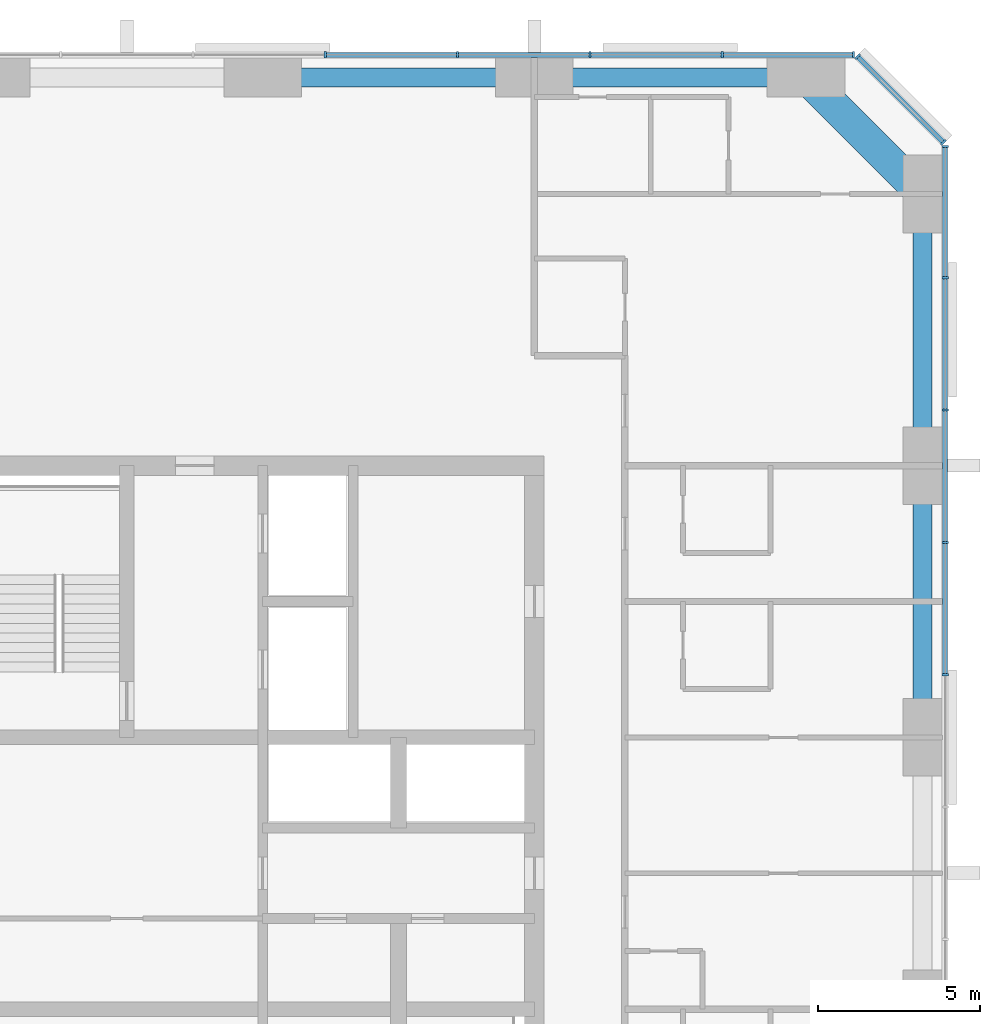
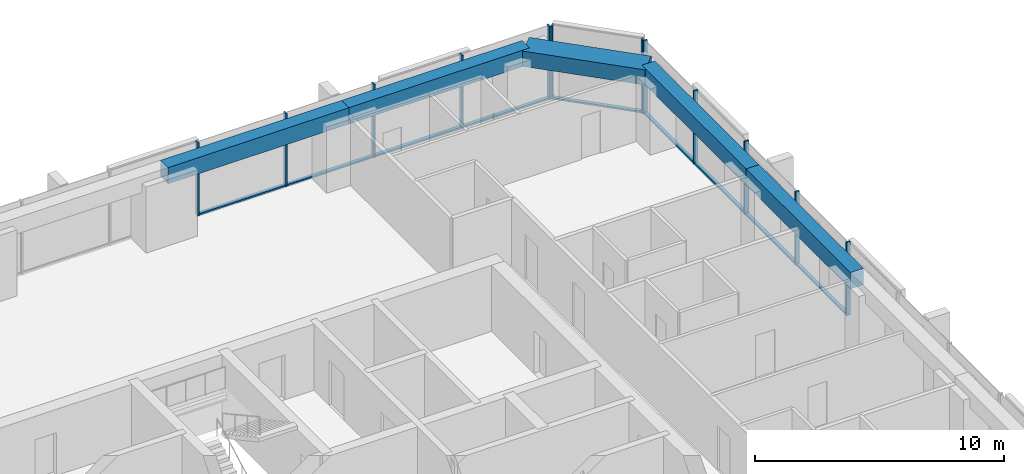
# One storey, part 6 of 13: 21 members, 5 beams, 3 elements without a shape of their own.
"""IFC4 building model written with IfcOpenShell, lengths in metres."""

from ifc_helpers import new_model, si_unit, direction, frame, origin, origin_2d, place, context, subcontext, project, spatial, rectangle, extrude, material, material_profile, profile_set, type_object, element, aggregate, save


model = new_model("IFC4")

# Units and contexts
model_context = context("Model", 3, precision=1e-05, world=origin(), true_north=direction((0.0, 1.0)))
body_context = subcontext(model_context, "Body", "Model", "MODEL_VIEW")
ifc_project = project(units=[si_unit("LENGTHUNIT", "METRE"), si_unit("AREAUNIT", "SQUARE_METRE"), si_unit("VOLUMEUNIT", "CUBIC_METRE"), si_unit("PLANEANGLEUNIT", "RADIAN"), si_unit("MASSUNIT", "GRAM", prefix="KILO")], contexts=[model_context])

# Site, building, storey
site_placement = place(None, origin())
site = spatial("IfcSite", under=ifc_project, at=site_placement, CompositionType="ELEMENT")
building_placement = place(site_placement, origin())
building = spatial("IfcBuilding", under=site, at=building_placement, Name="Dunama Terrace Hotel", CompositionType="ELEMENT")
storey_placement = place(building_placement, frame((0.0, 0.0, 209.39990234375)))
storey = spatial("IfcBuildingStorey", under=building, at=storey_placement, Name="L54", CompositionType="ELEMENT", Elevation=209.39990234375)

# Curtain wall, members
ifc_material_1 = material(Name="Aluminium curtain wall system", Category="aluminium")
curtain_wall_type = type_object("IfcCurtainWallType", Name="Unitised fritted glass wall CW-C", PredefinedType="NOTDEFINED", material=ifc_material_1)
curtain_wall_1_placement = place(storey_placement, origin())
curtain_wall_1 = element("IfcCurtainWall", 1, at=curtain_wall_1_placement, inside=storey, type_object=curtain_wall_type, Name="Unitised fritted glass wall CW-C L54", PredefinedType="NOTDEFINED")
ifc_material_2 = material(Name="Aluminium mullion", Category="aluminium")
ifc_material_profile_1 = material_profile(ifc_material_2, rectangle(XDim=0.070068359375, YDim=0.199951171875, at=origin_2d()), Name="CWC MULLION 70X200")
ifc_profile_set_1 = profile_set([ifc_material_profile_1], Name="Aluminium mullion")
member_type_1 = type_object("IfcMemberType", Name="CWC mullion 70x200", PredefinedType="MULLION", material=ifc_profile_set_1)
member_1_placement = place(storey_placement, frame((54.699951171875, 35.535888671875, 0.0), z_axis=(0.0, 0.0, 1.0), x_axis=(0.0, 1.0, 0.0)))
member_1 = element("IfcMember", 2, at=member_1_placement, type_object=member_type_1, Name="CWC mullion", PredefinedType="MULLION", context=body_context, shape_type="SweptSolid", body=[
    extrude(rectangle(XDim=0.070068359375, YDim=0.199951171875, at=origin_2d()), origin(), (0.0, 0.0, 1.0), 3.60009765625),
])
member_2_placement = place(storey_placement, frame((54.699951171875, 39.626953125, 0.0), z_axis=(0.0, 0.0, 1.0), x_axis=(0.0, 1.0, 0.0)))
member_2 = element("IfcMember", 3, at=member_2_placement, type_object=member_type_1, Name="CWC mullion", PredefinedType="MULLION", context=body_context, shape_type="SweptSolid", body=[
    extrude(rectangle(XDim=0.070068359375, YDim=0.199951171875, at=origin_2d()), origin(), (0.0, 0.0, 1.0), 3.60009765625),
])
member_3_placement = place(storey_placement, frame((54.699951171875, 43.718017578125, 0.0), z_axis=(0.0, 0.0, 1.0), x_axis=(0.0, 1.0, 0.0)))
member_3 = element("IfcMember", 4, at=member_3_placement, type_object=member_type_1, Name="CWC mullion", PredefinedType="MULLION", context=body_context, shape_type="SweptSolid", body=[
    extrude(rectangle(XDim=0.070068359375, YDim=0.199951171875, at=origin_2d()), origin(), (0.0, 0.0, 1.0), 3.60009765625),
])
member_4_placement = place(storey_placement, frame((54.699951171875, 47.80908203125, 0.0), z_axis=(0.0, 0.0, 1.0), x_axis=(0.0, 1.0, 0.0)))
member_4 = element("IfcMember", 5, at=member_4_placement, type_object=member_type_1, Name="CWC mullion", PredefinedType="MULLION", context=body_context, shape_type="SweptSolid", body=[
    extrude(rectangle(XDim=0.070068359375, YDim=0.199951171875, at=origin_2d()), origin(), (0.0, 0.0, 1.0), 3.60009765625),
])
member_5_placement = place(storey_placement, frame((54.699951171875, 51.864990234375, 0.0), z_axis=(0.0, 0.0, 1.0), x_axis=(0.0, 1.0, 0.0)))
member_5 = element("IfcMember", 6, at=member_5_placement, type_object=member_type_1, Name="CWC mullion", PredefinedType="MULLION", context=body_context, shape_type="SweptSolid", body=[
    extrude(rectangle(XDim=0.070068359375, YDim=0.199951171875, at=origin_2d()), origin(), (0.0, 0.0, 1.0), 3.60009765625),
])

curtain_wall_2_placement = place(storey_placement, origin())
curtain_wall_2 = element("IfcCurtainWall", 7, at=curtain_wall_2_placement, inside=storey, type_object=curtain_wall_type, Name="Unitised fritted glass wall CW-C L54", PredefinedType="NOTDEFINED")
member_6_placement = place(storey_placement, frame((54.64599609375, 51.9951171875, 0.0), z_axis=(0.0, 0.0, 1.0), x_axis=(-0.707106781187, 0.707106781187, 0.0)))
member_6 = element("IfcMember", 8, at=member_6_placement, type_object=member_type_1, Name="CWC mullion", PredefinedType="MULLION", context=body_context, shape_type="SweptSolid", body=[
    extrude(rectangle(XDim=0.070068359375, YDim=0.199951171875, at=origin_2d()), origin(), (0.0, 0.0, 1.0), 3.60009765625),
])
member_7_placement = place(storey_placement, frame((51.9951171875, 54.64599609375, 0.0), z_axis=(0.0, 0.0, 1.0), x_axis=(-0.707106781187, 0.707106781187, 0.0)))
member_7 = element("IfcMember", 9, at=member_7_placement, type_object=member_type_1, Name="CWC mullion", PredefinedType="MULLION", context=body_context, shape_type="SweptSolid", body=[
    extrude(rectangle(XDim=0.070068359375, YDim=0.199951171875, at=origin_2d()), origin(), (0.0, 0.0, 1.0), 3.60009765625),
])

curtain_wall_3_placement = place(storey_placement, origin())
curtain_wall_3 = element("IfcCurtainWall", 10, at=curtain_wall_3_placement, inside=storey, type_object=curtain_wall_type, Name="Unitised fritted glass wall CW-C L54", PredefinedType="NOTDEFINED")
member_8_placement = place(storey_placement, frame((51.864990234375, 54.699951171875, 0.0), z_axis=(0.0, 0.0, 1.0), x_axis=(-1.0, 0.0, 0.0)))
member_8 = element("IfcMember", 11, at=member_8_placement, type_object=member_type_1, Name="CWC mullion", PredefinedType="MULLION", context=body_context, shape_type="SweptSolid", body=[
    extrude(rectangle(XDim=0.070068359375, YDim=0.199951171875, at=origin_2d()), origin(), (0.0, 0.0, 1.0), 3.60009765625),
])
member_9_placement = place(storey_placement, frame((47.80908203125, 54.699951171875, 0.0), z_axis=(0.0, 0.0, 1.0), x_axis=(-1.0, 0.0, 0.0)))
member_9 = element("IfcMember", 12, at=member_9_placement, type_object=member_type_1, Name="CWC mullion", PredefinedType="MULLION", context=body_context, shape_type="SweptSolid", body=[
    extrude(rectangle(XDim=0.070068359375, YDim=0.199951171875, at=origin_2d()), origin(), (0.0, 0.0, 1.0), 3.60009765625),
])
member_10_placement = place(storey_placement, frame((43.718017578125, 54.699951171875, 0.0), z_axis=(0.0, 0.0, 1.0), x_axis=(-1.0, 0.0, 0.0)))
member_10 = element("IfcMember", 13, at=member_10_placement, type_object=member_type_1, Name="CWC mullion", PredefinedType="MULLION", context=body_context, shape_type="SweptSolid", body=[
    extrude(rectangle(XDim=0.070068359375, YDim=0.199951171875, at=origin_2d()), origin(), (0.0, 0.0, 1.0), 3.60009765625),
])
member_11_placement = place(storey_placement, frame((39.626953125, 54.699951171875, 0.0), z_axis=(0.0, 0.0, 1.0), x_axis=(-1.0, 0.0, 0.0)))
member_11 = element("IfcMember", 14, at=member_11_placement, type_object=member_type_1, Name="CWC mullion", PredefinedType="MULLION", context=body_context, shape_type="SweptSolid", body=[
    extrude(rectangle(XDim=0.070068359375, YDim=0.199951171875, at=origin_2d()), origin(), (0.0, 0.0, 1.0), 3.60009765625),
])
member_12_placement = place(storey_placement, frame((35.535888671875, 54.699951171875, 0.0), z_axis=(0.0, 0.0, 1.0), x_axis=(-1.0, 0.0, 0.0)))
member_12 = element("IfcMember", 15, at=member_12_placement, type_object=member_type_1, Name="CWC mullion", PredefinedType="MULLION", context=body_context, shape_type="SweptSolid", body=[
    extrude(rectangle(XDim=0.070068359375, YDim=0.199951171875, at=origin_2d()), origin(), (0.0, 0.0, 1.0), 3.60009765625),
])

# Member
ifc_material_3 = material(Name="Aluminium transom", Category="aluminium")
ifc_material_profile_2 = material_profile(ifc_material_3, rectangle(XDim=0.159912109375, YDim=0.080078125, at=origin_2d()), Name="CWC TRANSOM 160X80")
ifc_profile_set_2 = profile_set([ifc_material_profile_2], Name="Aluminium transom")
member_type_2 = type_object("IfcMemberType", Name="CWC transom 160x80", PredefinedType="USERDEFINED", material=ifc_profile_set_2)
member_13_placement = place(storey_placement, frame((54.699951171875, 35.571044921875, 0.0400390625), z_axis=(0.0, 1.0, 0.0), x_axis=(-1.0, 0.0, 0.0)))
member_13 = element("IfcMember", 16, at=member_13_placement, type_object=member_type_2, Name="CWC transom", ObjectType="TRANSOM", PredefinedType="USERDEFINED", context=body_context, shape_type="SweptSolid", body=[
    extrude(rectangle(XDim=0.159912109375, YDim=0.080078125, at=origin_2d()), origin(), (0.0, 0.0, 1.0), 4.02099609375),
])

member_14_placement = place(storey_placement, frame((54.699951171875, 39.662109375, 0.0400390625), z_axis=(0.0, 1.0, 0.0), x_axis=(-1.0, 0.0, 0.0)))
member_14 = element("IfcMember", 17, at=member_14_placement, type_object=member_type_2, Name="CWC transom", ObjectType="TRANSOM", PredefinedType="USERDEFINED", context=body_context, shape_type="SweptSolid", body=[
    extrude(rectangle(XDim=0.159912109375, YDim=0.080078125, at=origin_2d()), origin(), (0.0, 0.0, 1.0), 4.02099609375),
])

member_15_placement = place(storey_placement, frame((54.699951171875, 43.7529296875, 0.0400390625), z_axis=(0.0, 1.0, 0.0), x_axis=(-1.0, 0.0, 0.0)))
member_15 = element("IfcMember", 18, at=member_15_placement, type_object=member_type_2, Name="CWC transom", ObjectType="TRANSOM", PredefinedType="USERDEFINED", context=body_context, shape_type="SweptSolid", body=[
    extrude(rectangle(XDim=0.159912109375, YDim=0.080078125, at=origin_2d()), origin(), (0.0, 0.0, 1.0), 4.02099609375),
])

member_16_placement = place(storey_placement, frame((54.699951171875, 47.843994140625, 0.0400390625), z_axis=(0.0, 1.0, 0.0), x_axis=(-1.0, 0.0, 0.0)))
member_16 = element("IfcMember", 19, at=member_16_placement, type_object=member_type_2, Name="CWC transom", ObjectType="TRANSOM", PredefinedType="USERDEFINED", context=body_context, shape_type="SweptSolid", body=[
    extrude(rectangle(XDim=0.159912109375, YDim=0.080078125, at=origin_2d()), origin(), (0.0, 0.0, 1.0), 3.986083984375),
])

aggregate(curtain_wall_1, [member_1, member_2, member_3, member_4, member_5, member_13, member_14, member_15, member_16])

member_17_placement = place(storey_placement, frame((54.62109375, 52.02001953125, 0.0400390625), z_axis=(-0.707106781187, 0.707106781187, 0.0), x_axis=(-0.707106781187, -0.707106781187, 0.0)))
member_17 = element("IfcMember", 20, at=member_17_placement, type_object=member_type_2, Name="CWC transom", ObjectType="TRANSOM", PredefinedType="USERDEFINED", context=body_context, shape_type="SweptSolid", body=[
    extrude(rectangle(XDim=0.159912109375, YDim=0.080078125, at=origin_2d()), origin(), (0.0, 0.0, 1.0), 3.678466796875),
])

aggregate(curtain_wall_2, [member_6, member_7, member_17])

member_18_placement = place(storey_placement, frame((51.830078125, 54.699951171875, 0.0400390625), z_axis=(-1.0, 0.0, 0.0), x_axis=(0.0, -1.0, 0.0)))
member_18 = element("IfcMember", 21, at=member_18_placement, type_object=member_type_2, Name="CWC transom", ObjectType="TRANSOM", PredefinedType="USERDEFINED", context=body_context, shape_type="SweptSolid", body=[
    extrude(rectangle(XDim=0.159912109375, YDim=0.080078125, at=origin_2d()), origin(), (0.0, 0.0, 1.0), 3.986083984375),
])

member_19_placement = place(storey_placement, frame((47.77392578125, 54.699951171875, 0.0400390625), z_axis=(-1.0, 0.0, 0.0), x_axis=(0.0, -1.0, 0.0)))
member_19 = element("IfcMember", 22, at=member_19_placement, type_object=member_type_2, Name="CWC transom", ObjectType="TRANSOM", PredefinedType="USERDEFINED", context=body_context, shape_type="SweptSolid", body=[
    extrude(rectangle(XDim=0.159912109375, YDim=0.080078125, at=origin_2d()), origin(), (0.0, 0.0, 1.0), 4.02099609375),
])

member_20_placement = place(storey_placement, frame((43.68310546875, 54.699951171875, 0.0400390625), z_axis=(-1.0, 0.0, 0.0), x_axis=(0.0, -1.0, 0.0)))
member_20 = element("IfcMember", 23, at=member_20_placement, type_object=member_type_2, Name="CWC transom", ObjectType="TRANSOM", PredefinedType="USERDEFINED", context=body_context, shape_type="SweptSolid", body=[
    extrude(rectangle(XDim=0.159912109375, YDim=0.080078125, at=origin_2d()), origin(), (0.0, 0.0, 1.0), 4.02099609375),
])

member_21_placement = place(storey_placement, frame((39.592041015625, 54.699951171875, 0.0400390625), z_axis=(-1.0, 0.0, 0.0), x_axis=(0.0, -1.0, 0.0)))
member_21 = element("IfcMember", 24, at=member_21_placement, type_object=member_type_2, Name="CWC transom", ObjectType="TRANSOM", PredefinedType="USERDEFINED", context=body_context, shape_type="SweptSolid", body=[
    extrude(rectangle(XDim=0.159912109375, YDim=0.080078125, at=origin_2d()), origin(), (0.0, 0.0, 1.0), 4.02099609375),
])

aggregate(curtain_wall_3, [member_8, member_9, member_10, member_11, member_12, member_18, member_19, member_20, member_21])

# Beams
ifc_material_4 = material(Name="Concrete C50/60", Category="concrete")
ifc_material_profile_3 = material_profile(ifc_material_4, rectangle(XDim=1.0, YDim=0.75, at=origin_2d()), Name="RC 1000x750")
ifc_profile_set_3 = profile_set([ifc_material_profile_3], Name="Concrete C50/60")
beam_type_1 = type_object("IfcBeamType", Name="Edge beam RC 1000x750", PredefinedType="SPANDREL", material=ifc_profile_set_3)
beam_placement = place(storey_placement, frame((50.39990234375, 54.0, 3.22509765625), z_axis=(0.707106781187, -0.707106781187, 0.0), x_axis=(0.707106781187, 0.707106781187, 0.0)))
element("IfcBeam", 25, at=beam_placement, inside=storey, type_object=beam_type_1, Name="Corner edge beam under L55", PredefinedType="SPANDREL", context=body_context, shape_type="SweptSolid", body=[
    extrude(rectangle(XDim=1.0, YDim=0.75, at=origin_2d()), origin(), (0.0, 0.0, 1.0), 5.09130859375),
])
ifc_material_5 = material(Name="Concrete C40/50", Category="concrete")
ifc_material_profile_4 = material_profile(ifc_material_5, rectangle(XDim=0.60009765625, YDim=0.800048828125, at=origin_2d()), Name="RC 600x800")
ifc_profile_set_4 = profile_set([ifc_material_profile_4], Name="Concrete C40/50")
beam_type_2 = type_object("IfcBeamType", Name="Edge beam RC 600x800", PredefinedType="SPANDREL", material=ifc_profile_set_4)
for number, where, z_axis, x_axis, name in (
    (26, (54.0, 33.60009765625, 3.2001953125), (0.0, 1.0, 0.0), (-1.0, 0.0, 0.0), "Edge beam under L55"),
    (27, (54.0, 42.0, 3.2001953125), (0.0, 1.0, 0.0), (-1.0, 0.0, 0.0), "Edge beam under L55"),
    (28, (33.60009765625, 54.0, 3.2001953125), (1.0, 0.0, 0.0), (0.0, 1.0, 0.0), "Edge beam under L55"),
    (29, (42.0, 54.0, 3.2001953125), (1.0, 0.0, 0.0), (0.0, 1.0, 0.0), "Edge beam under L55"),
):
    element("IfcBeam", number, at=place(storey_placement, frame(where, z_axis=z_axis, x_axis=x_axis)), inside=storey, type_object=beam_type_2, Name=name, PredefinedType="SPANDREL", context=body_context, shape_type="SweptSolid", body=[
        extrude(rectangle(XDim=0.60009765625, YDim=0.800048828125, at=origin_2d()), origin(), (0.0, 0.0, 1.0), 8.39990234375),
    ])

save(model, "model.ifc")
